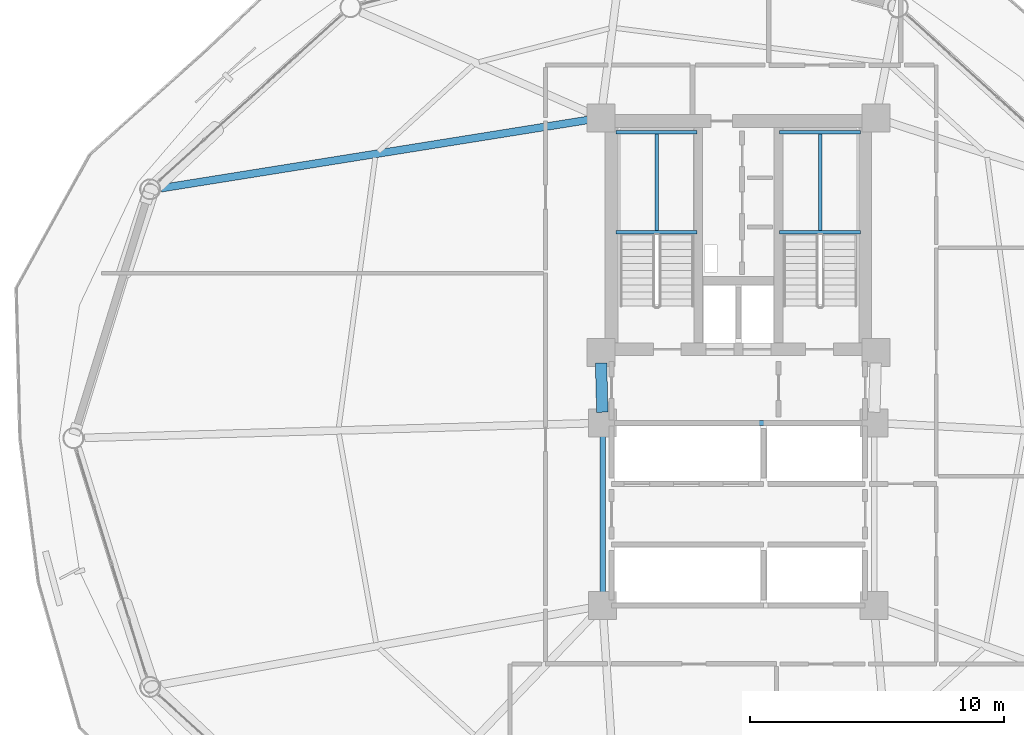
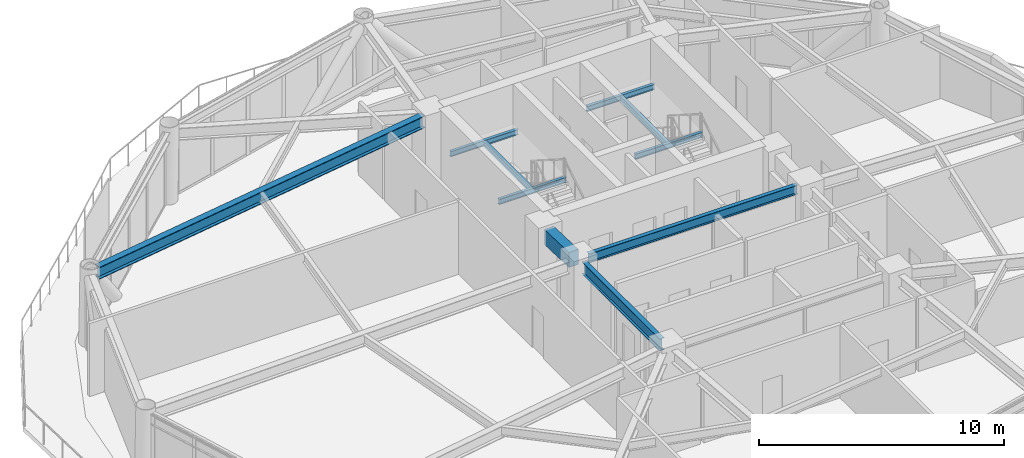
# One storey, part 11 of 26: 10 beams.
"""IFC4 building model written with IfcOpenShell, lengths in metres."""

import ifcopenshell
import ifcopenshell.guid

model = None  # the IFC model being written
_history = None  # IfcOwnerHistory: only IFC2X3 demands one
_inside = {}  # id of a spatial element -> (the spatial element, [elements in it])
_under = {}  # id of a project, library or spatial element -> (it, [spatial elements below it])
_declared = {}  # id of a project -> (the project, [libraries it declares])
_typed = {}  # id of a type object -> (the type object, [elements of that type])
_made_of = {}  # id of a material, layer set ... -> (it, [elements and type objects made of it])


def new_model(schema):
    """Start an empty IFC model of exactly this schema.

    Asked for "IFC4X3", IfcOpenShell would pick the latest addendum, in which some entities
    have other attributes; the version numbers below select the first issue.
    IFC2X3 requires an IfcOwnerHistory on every rooted entity: one is made here for all.
    """
    global model, _history
    if schema == "IFC4X3":
        model = ifcopenshell.file(schema_version=(4, 3, 0, 0))
    else:
        model = ifcopenshell.file(schema=schema)
    _inside.clear()
    _under.clear()
    _declared.clear()
    _typed.clear()
    _made_of.clear()
    _history = None
    if model.schema == "IFC2X3":
        org = make("IfcOrganization", Name="unknown")
        user = make(
            "IfcPersonAndOrganization",
            ThePerson=make("IfcPerson", FamilyName="unknown"),
            TheOrganization=org,
        )
        app = make(
            "IfcApplication",
            ApplicationDeveloper=org,
            Version="unknown",
            ApplicationFullName="unknown",
            ApplicationIdentifier="unknown",
        )
        _history = make(
            "IfcOwnerHistory",
            OwningUser=user,
            OwningApplication=app,
            ChangeAction="ADDED",
            CreationDate=0,
        )
    return model


def make(cls, **values):
    """One entity of the class cls with the attributes given. An attribute that is None is left unset."""
    return model.create_entity(
        cls, **{name: value for name, value in values.items() if value is not None}
    )


def rooted(cls, **values):
    """An entity with a GlobalId (a new one), such as an element, a storey or a relation."""
    return make(cls, GlobalId=ifcopenshell.guid.new(), OwnerHistory=_history, **values)


def si_unit(unit_type, name, prefix=None):
    """IfcSIUnit, for example si_unit("LENGTHUNIT", "METRE", prefix="MILLI")."""
    return make("IfcSIUnit", UnitType=unit_type, Prefix=prefix, Name=name)


def assignment(units):
    """IfcUnitAssignment: the units of a project."""
    return None if units is None else make("IfcUnitAssignment", Units=units)


def point(xyz):
    """IfcCartesianPoint."""
    return None if xyz is None else make("IfcCartesianPoint", Coordinates=xyz)


def direction(xyz):
    """IfcDirection."""
    return None if xyz is None else make("IfcDirection", DirectionRatios=xyz)


def frame(location, z_axis=None, x_axis=None):
    """IfcAxis2Placement3D, a coordinate frame: its origin and axes. An axis left out is left unset."""
    return make(
        "IfcAxis2Placement3D",
        Location=point(location),
        Axis=direction(z_axis),
        RefDirection=direction(x_axis),
    )


def frame_2d(location, x_axis=None):
    """IfcAxis2Placement2D, a coordinate frame in the plane: its origin and x axis."""
    return make(
        "IfcAxis2Placement2D", Location=point(location), RefDirection=direction(x_axis)
    )


def origin():
    """The frame at (0, 0, 0) with its axes left unset."""
    return frame((0.0, 0.0, 0.0))


def origin_2d():
    """The frame at (0, 0) in the plane with its x axis left unset."""
    return frame_2d((0.0, 0.0))


def place(relative_to, where):
    """IfcLocalPlacement: puts the frame where relative to a parent placement (None: the world)."""
    return make(
        "IfcLocalPlacement", PlacementRelTo=relative_to, RelativePlacement=where
    )


def context(
    kind, dimensions, precision=None, world=None, true_north=None, identifier=None
):
    """IfcGeometricRepresentationContext, for example the 3D "Model" context."""
    return make(
        "IfcGeometricRepresentationContext",
        ContextIdentifier=identifier,
        ContextType=kind,
        CoordinateSpaceDimension=dimensions,
        Precision=precision,
        WorldCoordinateSystem=world,
        TrueNorth=true_north,
    )


def subcontext(parent, identifier, kind, view, scale=None):
    """IfcGeometricRepresentationSubContext, for example "Body" below "Model"."""
    return make(
        "IfcGeometricRepresentationSubContext",
        ContextIdentifier=identifier,
        ContextType=kind,
        ParentContext=parent,
        TargetScale=scale,
        TargetView=view,
    )


def project(units=None, contexts=None):
    """IfcProject with its units and contexts."""
    return rooted(
        "IfcProject",
        Name="project",
        RepresentationContexts=contexts,
        UnitsInContext=assignment(units),
    )


def spatial(cls, under=None, at=None, **own):
    """A site, building, storey or space (cls), placed at a placement, below another one or the project."""
    s = rooted(cls, ObjectPlacement=at, **own)
    if under is not None:
        _under.setdefault(under.id(), (under, []))[1].append(s)
    return s


def profile(cls, at=None, kind="AREA", **sizes):
    """A parametric profile (cls). Its sizes go by their IFC names, for example OverallWidth=200.0."""
    return make(cls, ProfileType=kind, Position=at, **sizes)


def rectangle(**sizes):
    """IfcRectangleProfileDef."""
    return profile("IfcRectangleProfileDef", **sizes)


def i_section(**sizes):
    """IfcIShapeProfileDef."""
    return profile("IfcIShapeProfileDef", **sizes)


def extrude(swept, where, along, depth):
    """IfcExtrudedAreaSolid: the profile swept, set in the frame where, extruded along a direction by depth."""
    return make(
        "IfcExtrudedAreaSolid",
        SweptArea=swept,
        Position=where,
        ExtrudedDirection=direction(along),
        Depth=depth,
    )


def shape(context_of_items, identifier, shape_type, items):
    """IfcShapeRepresentation: the items that make up one representation, for example the "Body"."""
    return make(
        "IfcShapeRepresentation",
        ContextOfItems=context_of_items,
        RepresentationIdentifier=identifier,
        RepresentationType=shape_type,
        Items=items,
    )


def material(Name=None, Category=None):
    """IfcMaterial."""
    return make("IfcMaterial", Name=Name, Category=Category)


def material_profile(
    of_material, cross_section, Name=None, Category=None, Priority=None
):
    """IfcMaterialProfile: a cross section and its material."""
    return make(
        "IfcMaterialProfile",
        Name=Name,
        Material=of_material,
        Profile=cross_section,
        Priority=Priority,
        Category=Category,
    )


def profile_set(profiles, Name=None, composite=None):
    """IfcMaterialProfileSet."""
    return make(
        "IfcMaterialProfileSet",
        Name=Name,
        MaterialProfiles=profiles,
        CompositeProfile=composite,
    )


def made_of(thing, what):
    """Note that an element or type object is made of a material, layer set ...; save() writes the relation."""
    if what is not None:
        _made_of.setdefault(what.id(), (what, []))[1].append(thing)
    return thing


def type_object(cls, material=None, **own):
    """A type object (cls), such as IfcWallType, which elements share."""
    return made_of(rooted(cls, **own), material)


def element(
    cls,
    number,
    at=None,
    inside=None,
    cuts=None,
    type_object=None,
    material=None,
    context=None,
    identifier="Body",
    shape_type=None,
    held_by="IfcProductDefinitionShape",
    body=None,
    shapes=None,
    **own,
):
    """One element of the class cls, such as IfcWall. Its Tag is "e" and its number.

    at: its placement. inside: the storey or other place that contains it. cuts: it is an
    opening in that element (IfcRelVoidsElement). A single representation is given by context,
    identifier, shape_type and body (its items); several are given by shapes. held_by: the class
    of the entity that holds the representations. save() writes the other relations.
    """
    e = rooted(cls, Tag="e%d" % number, ObjectPlacement=at, **own)
    if body is not None:
        shapes = [shape(context, identifier, shape_type, body)]
    if shapes is not None:
        e.Representation = make(held_by, Representations=shapes)
    if inside is not None:
        _inside.setdefault(inside.id(), (inside, []))[1].append(e)
    if cuts is not None:
        rooted(
            "IfcRelVoidsElement", RelatingBuildingElement=cuts, RelatedOpeningElement=e
        )
    if type_object is not None:
        _typed.setdefault(type_object.id(), (type_object, []))[1].append(e)
    return made_of(e, material)


def aggregate(whole, parts):
    """IfcRelAggregates: a whole, such as a stair, and the parts it consists of."""
    return rooted("IfcRelAggregates", RelatingObject=whole, RelatedObjects=parts)


def save(model, path):
    """Write the relations noted so far, then the file.

    IfcRelAggregates (storeys below a building ...), IfcRelContainedInSpatialStructure (elements
    in a storey), IfcRelDefinesByType, IfcRelAssociatesMaterial and IfcRelDeclares: one each for
    every whole, place, type object, material and project.
    """
    for whole, parts in _under.values():
        aggregate(whole, parts)
    for where, things in _inside.values():
        rooted(
            "IfcRelContainedInSpatialStructure",
            RelatedElements=things,
            RelatingStructure=where,
        )
    for kind, things in _typed.values():
        rooted("IfcRelDefinesByType", RelatedObjects=things, RelatingType=kind)
    for what, things in _made_of.values():
        rooted("IfcRelAssociatesMaterial", RelatedObjects=things, RelatingMaterial=what)
    for by, libraries in _declared.values():
        rooted("IfcRelDeclares", RelatingContext=by, RelatedDefinitions=libraries)
    model.write(path)


model = new_model("IFC4")

# Units and contexts
model_context = context("Model", 3, precision=1e-05, world=origin(), true_north=direction((0.0, 1.0)))
body_context = subcontext(model_context, "Body", "Model", "MODEL_VIEW")
ifc_project = project(units=[si_unit("LENGTHUNIT", "METRE"), si_unit("AREAUNIT", "SQUARE_METRE"), si_unit("VOLUMEUNIT", "CUBIC_METRE"), si_unit("PLANEANGLEUNIT", "RADIAN"), si_unit("MASSUNIT", "GRAM", prefix="KILO")], contexts=[model_context])

# Site, building, storey
site_placement = place(None, origin())
site = spatial("IfcSite", under=ifc_project, at=site_placement, CompositionType="ELEMENT")
building_placement = place(site_placement, origin())
building = spatial("IfcBuilding", under=site, at=building_placement, Name="Varnakorn Sky Granary", CompositionType="ELEMENT")
storey_placement = place(building_placement, frame((0.0, 0.0, 95.39990234375)))
storey = spatial("IfcBuildingStorey", under=building, at=storey_placement, Name="L23", CompositionType="ELEMENT", Elevation=95.39990234375)

# Beams
ifc_material_1 = material(Name="Steel S355JR", Category="steel")
ifc_material_profile_1 = material_profile(ifc_material_1, i_section(OverallWidth=0.219970703125, OverallDepth=0.60009765625, WebThickness=0.011962890625, FlangeThickness=0.01904296875, at=origin_2d()), Name="IPE 600")
ifc_profile_set_1 = profile_set([ifc_material_profile_1], Name="Steel S355JR")
beam_type_1 = type_object("IfcBeamType", Name="BM-JST-600", PredefinedType="JOIST", material=ifc_profile_set_1)
beam_1_placement = place(storey_placement, frame((-2.35009765625, 0.179931640625, 3.340087890625), z_axis=(0.0, -1.0, 0.0), x_axis=(1.0, 0.0, 0.0)))
element("IfcBeam", 1, at=beam_1_placement, inside=storey, type_object=beam_type_1, Name="Core Spine Framing Beam 3 L23", PredefinedType="JOIST", context=body_context, shape_type="SweptSolid", body=[
    extrude(i_section(OverallWidth=0.219970703125, OverallDepth=0.60009765625, WebThickness=0.011962890625, FlangeThickness=0.01904296875, at=origin_2d()), origin(), (0.0, 0.0, 1.0), 6.35986328125),
])
ifc_material_2 = material(Name="Concrete C60/75", Category="concrete")
ifc_material_profile_2 = material_profile(ifc_material_2, rectangle(XDim=0.449951171875, YDim=0.75, at=origin_2d()), Name="RC 450x750")
ifc_profile_set_2 = profile_set([ifc_material_profile_2], Name="Concrete C60/75")
beam_type_2 = type_object("IfcBeamType", Name="BM-LIN-750", PredefinedType="LINTEL", material=ifc_profile_set_2)
beam_2_placement = place(storey_placement, frame((-2.409423828125, 2.960205078125, 3.26513671875), z_axis=(0.025158763514, -0.999683468213, 0.0), x_axis=(0.999683468213, 0.025158763514, 0.0)))
element("IfcBeam", 2, at=beam_2_placement, inside=storey, type_object=beam_type_2, Name="Core Spine Framing Beam 1 L23", PredefinedType="LINTEL", context=body_context, shape_type="SweptSolid", body=[
    extrude(rectangle(XDim=0.449951171875, YDim=0.75, at=origin_2d()), origin(), (0.0, 0.0, 1.0), 1.94091796875),
])
ifc_material_profile_3 = material_profile(ifc_material_1, i_section(OverallWidth=0.135009765625, OverallDepth=0.27001953125, WebThickness=0.006591796875, FlangeThickness=0.01025390625, at=origin_2d()), Name="IPE 270")
ifc_profile_set_3 = profile_set([ifc_material_profile_3], Name="Steel S355JR")
beam_type_3 = type_object("IfcBeamType", Name="BM-LND-270", PredefinedType="BEAM", material=ifc_profile_set_3)
for number, where, z_axis, x_axis, name in (
    (3, (-1.820068359375, 8.1201171875, 1.614990234375), (1.0, 0.0, 0.0), (0.0, 1.0, 0.0), "Stair ST-1 Landing Trimmer Beam A L23-1"),
    (4, (-1.820068359375, 12.06005859375, 1.614990234375), (1.0, 0.0, 0.0), (0.0, 1.0, 0.0), "Stair ST-1 Landing Trimmer Beam B L23-1"),
):
    element("IfcBeam", number, at=place(storey_placement, frame(where, z_axis=z_axis, x_axis=x_axis)), inside=storey, type_object=beam_type_3, Name=name, PredefinedType="BEAM", context=body_context, shape_type="SweptSolid", body=[
        extrude(i_section(OverallWidth=0.135009765625, OverallDepth=0.27001953125, WebThickness=0.006591796875, FlangeThickness=0.01025390625, at=origin_2d()), origin(), (0.0, 0.0, 1.0), 3.199951171875),
    ])
beam_3_placement = place(storey_placement, frame((-0.219970703125, 8.1201171875, 1.614990234375), z_axis=(0.0, 1.0, 0.0), x_axis=(-1.0, 0.0, 0.0)))
element("IfcBeam", 5, at=beam_3_placement, inside=storey, type_object=beam_type_3, Name="Stair ST-1 Landing Cross Beam C L23-1", PredefinedType="BEAM", context=body_context, shape_type="SweptSolid", body=[
    extrude(i_section(OverallWidth=0.135009765625, OverallDepth=0.27001953125, WebThickness=0.006591796875, FlangeThickness=0.01025390625, at=origin_2d()), origin(), (0.0, 0.0, 1.0), 3.93994140625),
])
for number, where, z_axis, x_axis, name in (
    (6, (4.6201171875, 8.1201171875, 1.614990234375), (1.0, 0.0, 0.0), (0.0, 1.0, 0.0), "Stair ST-2 Landing Trimmer Beam A L23-1"),
    (7, (4.6201171875, 12.06005859375, 1.614990234375), (1.0, 0.0, 0.0), (0.0, 1.0, 0.0), "Stair ST-2 Landing Trimmer Beam B L23-1"),
):
    element("IfcBeam", number, at=place(storey_placement, frame(where, z_axis=z_axis, x_axis=x_axis)), inside=storey, type_object=beam_type_3, Name=name, PredefinedType="BEAM", context=body_context, shape_type="SweptSolid", body=[
        extrude(i_section(OverallWidth=0.135009765625, OverallDepth=0.27001953125, WebThickness=0.006591796875, FlangeThickness=0.01025390625, at=origin_2d()), origin(), (0.0, 0.0, 1.0), 3.199951171875),
    ])
beam_4_placement = place(storey_placement, frame((6.219970703125, 8.1201171875, 1.614990234375), z_axis=(0.0, 1.0, 0.0), x_axis=(-1.0, 0.0, 0.0)))
element("IfcBeam", 8, at=beam_4_placement, inside=storey, type_object=beam_type_3, Name="Stair ST-2 Landing Cross Beam C L23-1", PredefinedType="BEAM", context=body_context, shape_type="SweptSolid", body=[
    extrude(i_section(OverallWidth=0.135009765625, OverallDepth=0.27001953125, WebThickness=0.006591796875, FlangeThickness=0.01025390625, at=origin_2d()), origin(), (0.0, 0.0, 1.0), 3.93994140625),
])
ifc_material_profile_4 = material_profile(ifc_material_1, i_section(OverallWidth=0.300048828125, OverallDepth=0.60009765625, WebThickness=0.015380859375, FlangeThickness=0.030029296875, at=origin_2d()), Name="HE 600 B")
ifc_profile_set_4 = profile_set([ifc_material_profile_4], Name="Steel S355JR")
beam_type_4 = type_object("IfcBeamType", Name="BM-RAD-Z2", PredefinedType="BEAM", material=ifc_profile_set_4)
beam_5_placement = place(storey_placement, frame((-2.834716796875, 12.5537109375, 3.340087890625), z_axis=(-0.987440365044, -0.15799216905, 0.0), x_axis=(0.15799216905, -0.987440365044, 0.0)))
element("IfcBeam", 9, at=beam_5_placement, inside=storey, type_object=beam_type_4, Name="Radial Floor Girder RG06 L23", PredefinedType="BEAM", context=body_context, shape_type="SweptSolid", body=[
    extrude(i_section(OverallWidth=0.300048828125, OverallDepth=0.60009765625, WebThickness=0.015380859375, FlangeThickness=0.030029296875, at=origin_2d()), origin(), (0.0, 0.0, 1.0), 17.126220703125),
])
ifc_material_profile_5 = material_profile(ifc_material_1, i_section(OverallWidth=0.18994140625, OverallDepth=0.449951171875, WebThickness=0.009521484375, FlangeThickness=0.0146484375, at=origin_2d()), Name="IPE 450")
ifc_profile_set_5 = profile_set([ifc_material_profile_5], Name="Steel S355JR")
beam_type_5 = type_object("IfcBeamType", Name="BM-SEC-Z2", PredefinedType="BEAM", material=ifc_profile_set_5)
beam_6_placement = place(storey_placement, frame((-1.929931640625, 0.60009765625, 3.4150390625), z_axis=(1.0, 0.0, 0.0), x_axis=(0.0, 1.0, 0.0)))
element("IfcBeam", 10, at=beam_6_placement, inside=storey, type_object=beam_type_5, Name="Core Spine Framing Beam 5 L23", PredefinedType="BEAM", context=body_context, shape_type="SweptSolid", body=[
    extrude(i_section(OverallWidth=0.18994140625, OverallDepth=0.449951171875, WebThickness=0.009521484375, FlangeThickness=0.0146484375, at=origin_2d()), origin(), (0.0, 0.0, 1.0), 9.85986328125),
])

save(model, "model.ifc")
